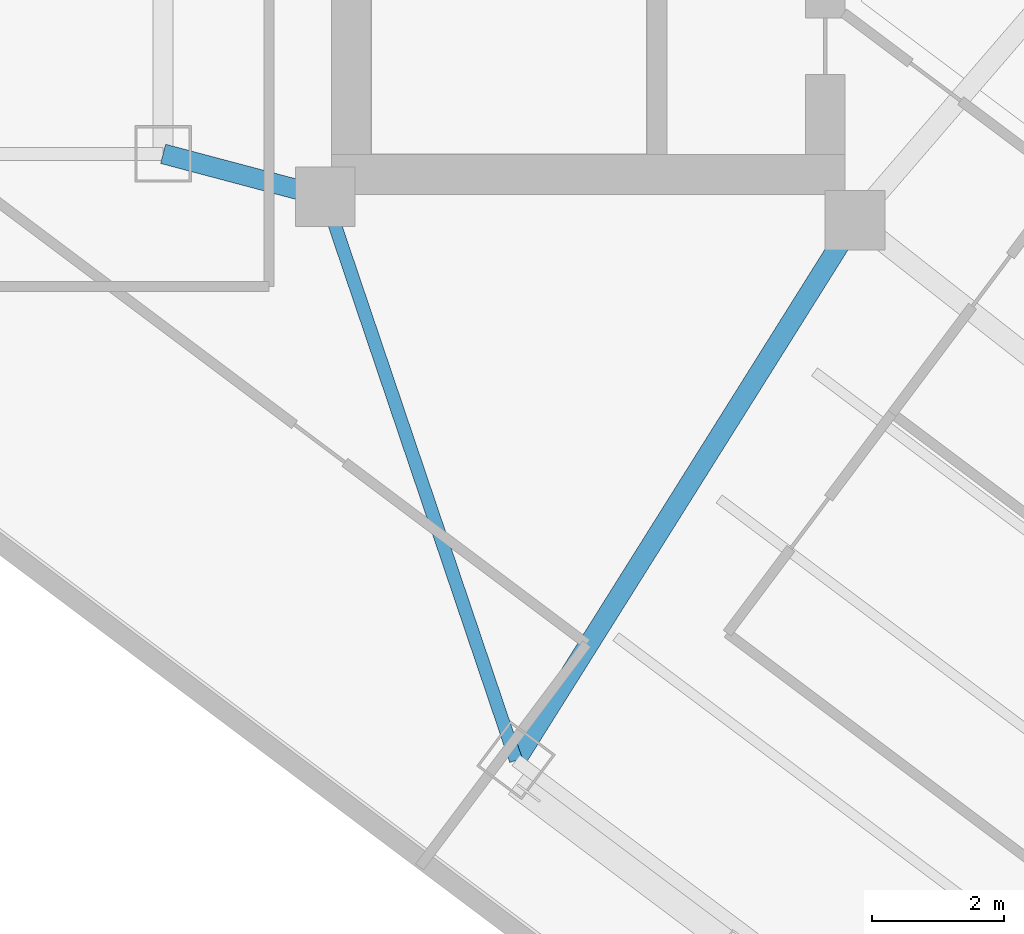
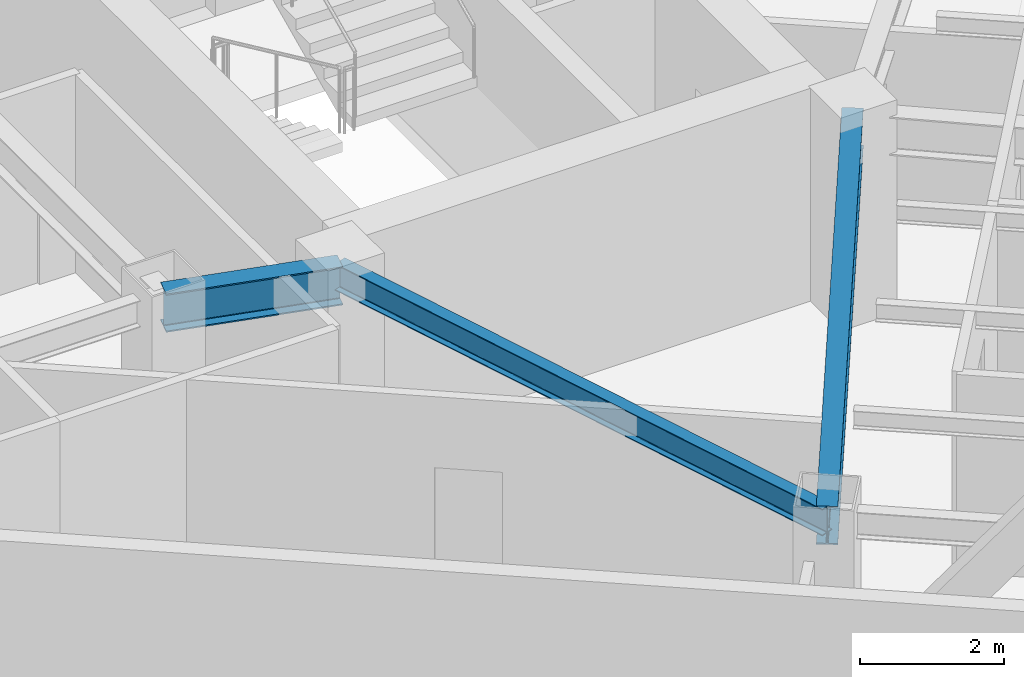
# One storey, part 3 of 27: 3 beams.
"""IFC4 building model written with IfcOpenShell, lengths in metres."""

import ifcopenshell
import ifcopenshell.guid

model = None  # the IFC model being written
_history = None  # IfcOwnerHistory: only IFC2X3 demands one
_inside = {}  # id of a spatial element -> (the spatial element, [elements in it])
_under = {}  # id of a project, library or spatial element -> (it, [spatial elements below it])
_declared = {}  # id of a project -> (the project, [libraries it declares])
_typed = {}  # id of a type object -> (the type object, [elements of that type])
_made_of = {}  # id of a material, layer set ... -> (it, [elements and type objects made of it])


def new_model(schema):
    """Start an empty IFC model of exactly this schema.

    Asked for "IFC4X3", IfcOpenShell would pick the latest addendum, in which some entities
    have other attributes; the version numbers below select the first issue.
    IFC2X3 requires an IfcOwnerHistory on every rooted entity: one is made here for all.
    """
    global model, _history
    if schema == "IFC4X3":
        model = ifcopenshell.file(schema_version=(4, 3, 0, 0))
    else:
        model = ifcopenshell.file(schema=schema)
    _inside.clear()
    _under.clear()
    _declared.clear()
    _typed.clear()
    _made_of.clear()
    _history = None
    if model.schema == "IFC2X3":
        org = make("IfcOrganization", Name="unknown")
        user = make(
            "IfcPersonAndOrganization",
            ThePerson=make("IfcPerson", FamilyName="unknown"),
            TheOrganization=org,
        )
        app = make(
            "IfcApplication",
            ApplicationDeveloper=org,
            Version="unknown",
            ApplicationFullName="unknown",
            ApplicationIdentifier="unknown",
        )
        _history = make(
            "IfcOwnerHistory",
            OwningUser=user,
            OwningApplication=app,
            ChangeAction="ADDED",
            CreationDate=0,
        )
    return model


def make(cls, **values):
    """One entity of the class cls with the attributes given. An attribute that is None is left unset."""
    return model.create_entity(
        cls, **{name: value for name, value in values.items() if value is not None}
    )


def rooted(cls, **values):
    """An entity with a GlobalId (a new one), such as an element, a storey or a relation."""
    return make(cls, GlobalId=ifcopenshell.guid.new(), OwnerHistory=_history, **values)


def si_unit(unit_type, name, prefix=None):
    """IfcSIUnit, for example si_unit("LENGTHUNIT", "METRE", prefix="MILLI")."""
    return make("IfcSIUnit", UnitType=unit_type, Prefix=prefix, Name=name)


def assignment(units):
    """IfcUnitAssignment: the units of a project."""
    return None if units is None else make("IfcUnitAssignment", Units=units)


def point(xyz):
    """IfcCartesianPoint."""
    return None if xyz is None else make("IfcCartesianPoint", Coordinates=xyz)


def direction(xyz):
    """IfcDirection."""
    return None if xyz is None else make("IfcDirection", DirectionRatios=xyz)


def frame(location, z_axis=None, x_axis=None):
    """IfcAxis2Placement3D, a coordinate frame: its origin and axes. An axis left out is left unset."""
    return make(
        "IfcAxis2Placement3D",
        Location=point(location),
        Axis=direction(z_axis),
        RefDirection=direction(x_axis),
    )


def frame_2d(location, x_axis=None):
    """IfcAxis2Placement2D, a coordinate frame in the plane: its origin and x axis."""
    return make(
        "IfcAxis2Placement2D", Location=point(location), RefDirection=direction(x_axis)
    )


def origin():
    """The frame at (0, 0, 0) with its axes left unset."""
    return frame((0.0, 0.0, 0.0))


def origin_2d():
    """The frame at (0, 0) in the plane with its x axis left unset."""
    return frame_2d((0.0, 0.0))


def place(relative_to, where):
    """IfcLocalPlacement: puts the frame where relative to a parent placement (None: the world)."""
    return make(
        "IfcLocalPlacement", PlacementRelTo=relative_to, RelativePlacement=where
    )


def context(
    kind, dimensions, precision=None, world=None, true_north=None, identifier=None
):
    """IfcGeometricRepresentationContext, for example the 3D "Model" context."""
    return make(
        "IfcGeometricRepresentationContext",
        ContextIdentifier=identifier,
        ContextType=kind,
        CoordinateSpaceDimension=dimensions,
        Precision=precision,
        WorldCoordinateSystem=world,
        TrueNorth=true_north,
    )


def subcontext(parent, identifier, kind, view, scale=None):
    """IfcGeometricRepresentationSubContext, for example "Body" below "Model"."""
    return make(
        "IfcGeometricRepresentationSubContext",
        ContextIdentifier=identifier,
        ContextType=kind,
        ParentContext=parent,
        TargetScale=scale,
        TargetView=view,
    )


def project(units=None, contexts=None):
    """IfcProject with its units and contexts."""
    return rooted(
        "IfcProject",
        Name="project",
        RepresentationContexts=contexts,
        UnitsInContext=assignment(units),
    )


def spatial(cls, under=None, at=None, **own):
    """A site, building, storey or space (cls), placed at a placement, below another one or the project."""
    s = rooted(cls, ObjectPlacement=at, **own)
    if under is not None:
        _under.setdefault(under.id(), (under, []))[1].append(s)
    return s


def profile(cls, at=None, kind="AREA", **sizes):
    """A parametric profile (cls). Its sizes go by their IFC names, for example OverallWidth=200.0."""
    return make(cls, ProfileType=kind, Position=at, **sizes)


def i_section(**sizes):
    """IfcIShapeProfileDef."""
    return profile("IfcIShapeProfileDef", **sizes)


def extrude(swept, where, along, depth):
    """IfcExtrudedAreaSolid: the profile swept, set in the frame where, extruded along a direction by depth."""
    return make(
        "IfcExtrudedAreaSolid",
        SweptArea=swept,
        Position=where,
        ExtrudedDirection=direction(along),
        Depth=depth,
    )


def shape(context_of_items, identifier, shape_type, items):
    """IfcShapeRepresentation: the items that make up one representation, for example the "Body"."""
    return make(
        "IfcShapeRepresentation",
        ContextOfItems=context_of_items,
        RepresentationIdentifier=identifier,
        RepresentationType=shape_type,
        Items=items,
    )


def material(Name=None, Category=None):
    """IfcMaterial."""
    return make("IfcMaterial", Name=Name, Category=Category)


def material_profile(
    of_material, cross_section, Name=None, Category=None, Priority=None
):
    """IfcMaterialProfile: a cross section and its material."""
    return make(
        "IfcMaterialProfile",
        Name=Name,
        Material=of_material,
        Profile=cross_section,
        Priority=Priority,
        Category=Category,
    )


def profile_set(profiles, Name=None, composite=None):
    """IfcMaterialProfileSet."""
    return make(
        "IfcMaterialProfileSet",
        Name=Name,
        MaterialProfiles=profiles,
        CompositeProfile=composite,
    )


def made_of(thing, what):
    """Note that an element or type object is made of a material, layer set ...; save() writes the relation."""
    if what is not None:
        _made_of.setdefault(what.id(), (what, []))[1].append(thing)
    return thing


def type_object(cls, material=None, **own):
    """A type object (cls), such as IfcWallType, which elements share."""
    return made_of(rooted(cls, **own), material)


def element(
    cls,
    number,
    at=None,
    inside=None,
    cuts=None,
    type_object=None,
    material=None,
    context=None,
    identifier="Body",
    shape_type=None,
    held_by="IfcProductDefinitionShape",
    body=None,
    shapes=None,
    **own,
):
    """One element of the class cls, such as IfcWall. Its Tag is "e" and its number.

    at: its placement. inside: the storey or other place that contains it. cuts: it is an
    opening in that element (IfcRelVoidsElement). A single representation is given by context,
    identifier, shape_type and body (its items); several are given by shapes. held_by: the class
    of the entity that holds the representations. save() writes the other relations.
    """
    e = rooted(cls, Tag="e%d" % number, ObjectPlacement=at, **own)
    if body is not None:
        shapes = [shape(context, identifier, shape_type, body)]
    if shapes is not None:
        e.Representation = make(held_by, Representations=shapes)
    if inside is not None:
        _inside.setdefault(inside.id(), (inside, []))[1].append(e)
    if cuts is not None:
        rooted(
            "IfcRelVoidsElement", RelatingBuildingElement=cuts, RelatedOpeningElement=e
        )
    if type_object is not None:
        _typed.setdefault(type_object.id(), (type_object, []))[1].append(e)
    return made_of(e, material)


def aggregate(whole, parts):
    """IfcRelAggregates: a whole, such as a stair, and the parts it consists of."""
    return rooted("IfcRelAggregates", RelatingObject=whole, RelatedObjects=parts)


def save(model, path):
    """Write the relations noted so far, then the file.

    IfcRelAggregates (storeys below a building ...), IfcRelContainedInSpatialStructure (elements
    in a storey), IfcRelDefinesByType, IfcRelAssociatesMaterial and IfcRelDeclares: one each for
    every whole, place, type object, material and project.
    """
    for whole, parts in _under.values():
        aggregate(whole, parts)
    for where, things in _inside.values():
        rooted(
            "IfcRelContainedInSpatialStructure",
            RelatedElements=things,
            RelatingStructure=where,
        )
    for kind, things in _typed.values():
        rooted("IfcRelDefinesByType", RelatedObjects=things, RelatingType=kind)
    for what, things in _made_of.values():
        rooted("IfcRelAssociatesMaterial", RelatedObjects=things, RelatingMaterial=what)
    for by, libraries in _declared.values():
        rooted("IfcRelDeclares", RelatingContext=by, RelatedDefinitions=libraries)
    model.write(path)


model = new_model("IFC4")

# Units and contexts
model_context = context("Model", 3, precision=1e-05, world=origin(), true_north=direction((0.0, 1.0)))
body_context = subcontext(model_context, "Body", "Model", "MODEL_VIEW")
ifc_project = project(units=[si_unit("LENGTHUNIT", "METRE"), si_unit("AREAUNIT", "SQUARE_METRE"), si_unit("VOLUMEUNIT", "CUBIC_METRE"), si_unit("PLANEANGLEUNIT", "RADIAN"), si_unit("MASSUNIT", "GRAM", prefix="KILO")], contexts=[model_context])

# Site, building, storey
site_placement = place(None, origin())
site = spatial("IfcSite", under=ifc_project, at=site_placement, CompositionType="ELEMENT")
building_placement = place(site_placement, origin())
building = spatial("IfcBuilding", under=site, at=building_placement, Name="Hatsunagi Terrace Concourse", CompositionType="ELEMENT")
storey_placement = place(building_placement, frame((0.0, 0.0, 145.64990234375)))
storey = spatial("IfcBuildingStorey", under=building, at=storey_placement, Name="L38", CompositionType="ELEMENT", Elevation=145.64990234375)

# Beams
ifc_material_1 = material(Name="Steel SN490B", Category="steel")
ifc_material_profile_1 = material_profile(ifc_material_1, i_section(OverallWidth=0.300048828125, OverallDepth=0.64990234375, WebThickness=0.012939453125, FlangeThickness=0.02197265625, FilletRadius=0.01806640625, at=origin_2d()), Name="H-650x300x13x22")
ifc_profile_set_1 = profile_set([ifc_material_profile_1], Name="Steel SN490B")
beam_type_1 = type_object("IfcBeamType", Name="OfficeLowGirder_H_650x300", PredefinedType="BEAM", material=ifc_profile_set_1)
beam_1_placement = place(storey_placement, frame((33.35009765625, 25.199951171875, 3.025146484375), z_axis=(0.966569840116, -0.256403479262, 0.0), x_axis=(0.256403479262, 0.966569840116, 0.0)))
element("IfcBeam", 1, at=beam_1_placement, inside=storey, type_object=beam_type_1, Name="Beam G-05 BM-L38-K2CB", PredefinedType="BEAM", context=body_context, shape_type="SweptSolid", body=[
    extrude(i_section(OverallWidth=0.300048828125, OverallDepth=0.64990234375, WebThickness=0.012939453125, FlangeThickness=0.02197265625, FilletRadius=0.01806640625, at=origin_2d()), origin(), (0.0, 0.0, 1.0), 2.53466796875),
])
beam_2_placement = place(storey_placement, frame((38.679931640625, 16.0400390625, 3.025146484375), z_axis=(0.531503907049, 0.847055840421, 0.0), x_axis=(-0.847055840421, 0.531503907049, 0.0)))
element("IfcBeam", 2, at=beam_2_placement, inside=storey, type_object=beam_type_1, Name="Beam G-05 BM-L38-SET-1A", PredefinedType="BEAM", context=body_context, shape_type="SweptSolid", body=[
    extrude(i_section(OverallWidth=0.300048828125, OverallDepth=0.64990234375, WebThickness=0.012939453125, FlangeThickness=0.02197265625, FilletRadius=0.01806640625, at=origin_2d()), origin(), (0.0, 0.0, 1.0), 9.63330078125),
])
ifc_material_2 = material(Name="Steel SN490B", Category="steel")
ifc_material_profile_2 = material_profile(ifc_material_2, i_section(OverallWidth=0.199951171875, OverallDepth=0.449951171875, WebThickness=0.009033203125, FlangeThickness=0.013916015625, FilletRadius=0.01611328125, at=origin_2d()), Name="H-450x200x9x14")
ifc_profile_set_2 = profile_set([ifc_material_profile_2], Name="Steel SN490B")
beam_type_2 = type_object("IfcBeamType", Name="PerimeterSpandrel_H_450x200", PredefinedType="SPANDREL", material=ifc_profile_set_2)
beam_3_placement = place(storey_placement, frame((35.800048828125, 24.550048828125, 3.125), z_axis=(0.320553412271, -0.947230441805, 0.0), x_axis=(0.947230441805, 0.320553412271, 0.0)))
element("IfcBeam", 3, at=beam_3_placement, inside=storey, type_object=beam_type_2, Name="Beam SP-02 BM-L38-SE-SW0", PredefinedType="SPANDREL", context=body_context, shape_type="SweptSolid", body=[
    extrude(i_section(OverallWidth=0.199951171875, OverallDepth=0.449951171875, WebThickness=0.009033203125, FlangeThickness=0.013916015625, FilletRadius=0.01611328125, at=origin_2d()), origin(), (0.0, 0.0, 1.0), 8.984130859375),
])

save(model, "model.ifc")
